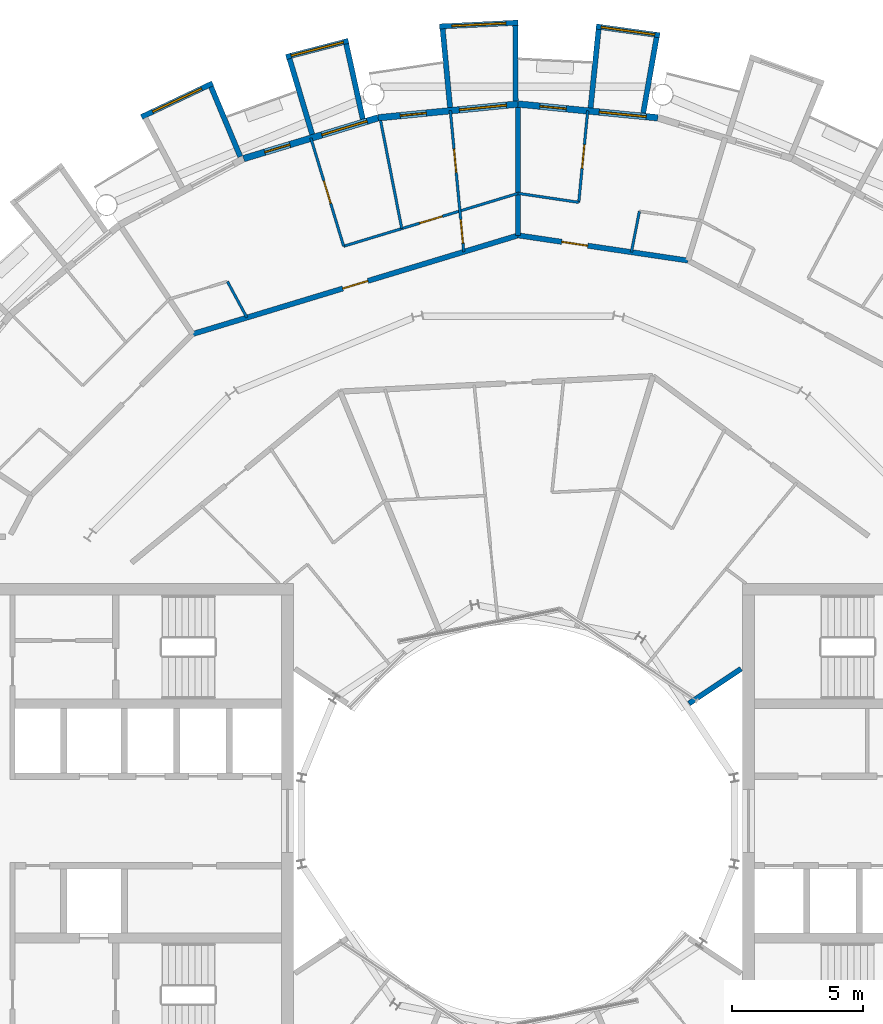
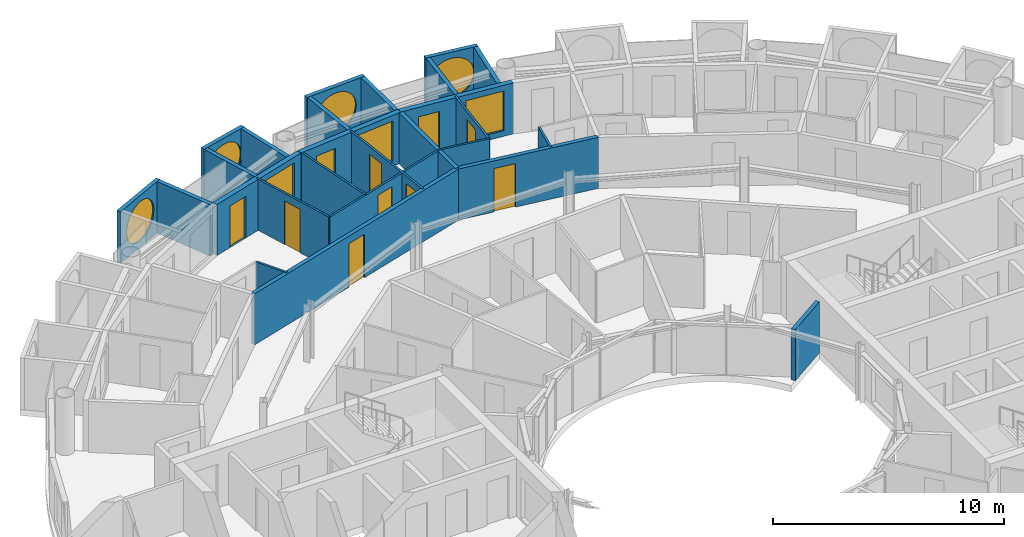
# One storey, part 22 of 29: 26 walls, 10 doors, 7 windows, 17 openings.
"""IFC4 building model written with IfcOpenShell, lengths in metres."""

import ifcopenshell
import ifcopenshell.guid

model = None  # the IFC model being written
_history = None  # IfcOwnerHistory: only IFC2X3 demands one
_inside = {}  # id of a spatial element -> (the spatial element, [elements in it])
_under = {}  # id of a project, library or spatial element -> (it, [spatial elements below it])
_declared = {}  # id of a project -> (the project, [libraries it declares])
_typed = {}  # id of a type object -> (the type object, [elements of that type])
_made_of = {}  # id of a material, layer set ... -> (it, [elements and type objects made of it])


def new_model(schema):
    """Start an empty IFC model of exactly this schema.

    Asked for "IFC4X3", IfcOpenShell would pick the latest addendum, in which some entities
    have other attributes; the version numbers below select the first issue.
    IFC2X3 requires an IfcOwnerHistory on every rooted entity: one is made here for all.
    """
    global model, _history
    if schema == "IFC4X3":
        model = ifcopenshell.file(schema_version=(4, 3, 0, 0))
    else:
        model = ifcopenshell.file(schema=schema)
    _inside.clear()
    _under.clear()
    _declared.clear()
    _typed.clear()
    _made_of.clear()
    _history = None
    if model.schema == "IFC2X3":
        org = make("IfcOrganization", Name="unknown")
        user = make(
            "IfcPersonAndOrganization",
            ThePerson=make("IfcPerson", FamilyName="unknown"),
            TheOrganization=org,
        )
        app = make(
            "IfcApplication",
            ApplicationDeveloper=org,
            Version="unknown",
            ApplicationFullName="unknown",
            ApplicationIdentifier="unknown",
        )
        _history = make(
            "IfcOwnerHistory",
            OwningUser=user,
            OwningApplication=app,
            ChangeAction="ADDED",
            CreationDate=0,
        )
    return model


def make(cls, **values):
    """One entity of the class cls with the attributes given. An attribute that is None is left unset."""
    return model.create_entity(
        cls, **{name: value for name, value in values.items() if value is not None}
    )


def rooted(cls, **values):
    """An entity with a GlobalId (a new one), such as an element, a storey or a relation."""
    return make(cls, GlobalId=ifcopenshell.guid.new(), OwnerHistory=_history, **values)


def si_unit(unit_type, name, prefix=None):
    """IfcSIUnit, for example si_unit("LENGTHUNIT", "METRE", prefix="MILLI")."""
    return make("IfcSIUnit", UnitType=unit_type, Prefix=prefix, Name=name)


def assignment(units):
    """IfcUnitAssignment: the units of a project."""
    return None if units is None else make("IfcUnitAssignment", Units=units)


def point(xyz):
    """IfcCartesianPoint."""
    return None if xyz is None else make("IfcCartesianPoint", Coordinates=xyz)


def direction(xyz):
    """IfcDirection."""
    return None if xyz is None else make("IfcDirection", DirectionRatios=xyz)


def frame(location, z_axis=None, x_axis=None):
    """IfcAxis2Placement3D, a coordinate frame: its origin and axes. An axis left out is left unset."""
    return make(
        "IfcAxis2Placement3D",
        Location=point(location),
        Axis=direction(z_axis),
        RefDirection=direction(x_axis),
    )


def frame_2d(location, x_axis=None):
    """IfcAxis2Placement2D, a coordinate frame in the plane: its origin and x axis."""
    return make(
        "IfcAxis2Placement2D", Location=point(location), RefDirection=direction(x_axis)
    )


def origin():
    """The frame at (0, 0, 0) with its axes left unset."""
    return frame((0.0, 0.0, 0.0))


def place(relative_to, where):
    """IfcLocalPlacement: puts the frame where relative to a parent placement (None: the world)."""
    return make(
        "IfcLocalPlacement", PlacementRelTo=relative_to, RelativePlacement=where
    )


def context(
    kind, dimensions, precision=None, world=None, true_north=None, identifier=None
):
    """IfcGeometricRepresentationContext, for example the 3D "Model" context."""
    return make(
        "IfcGeometricRepresentationContext",
        ContextIdentifier=identifier,
        ContextType=kind,
        CoordinateSpaceDimension=dimensions,
        Precision=precision,
        WorldCoordinateSystem=world,
        TrueNorth=true_north,
    )


def subcontext(parent, identifier, kind, view, scale=None):
    """IfcGeometricRepresentationSubContext, for example "Body" below "Model"."""
    return make(
        "IfcGeometricRepresentationSubContext",
        ContextIdentifier=identifier,
        ContextType=kind,
        ParentContext=parent,
        TargetScale=scale,
        TargetView=view,
    )


def project(units=None, contexts=None):
    """IfcProject with its units and contexts."""
    return rooted(
        "IfcProject",
        Name="project",
        RepresentationContexts=contexts,
        UnitsInContext=assignment(units),
    )


def spatial(cls, under=None, at=None, **own):
    """A site, building, storey or space (cls), placed at a placement, below another one or the project."""
    s = rooted(cls, ObjectPlacement=at, **own)
    if under is not None:
        _under.setdefault(under.id(), (under, []))[1].append(s)
    return s


def profile(cls, at=None, kind="AREA", **sizes):
    """A parametric profile (cls). Its sizes go by their IFC names, for example OverallWidth=200.0."""
    return make(cls, ProfileType=kind, Position=at, **sizes)


def rectangle(**sizes):
    """IfcRectangleProfileDef."""
    return profile("IfcRectangleProfileDef", **sizes)


def circle(**sizes):
    """IfcCircleProfileDef."""
    return profile("IfcCircleProfileDef", **sizes)


def extrude(swept, where, along, depth):
    """IfcExtrudedAreaSolid: the profile swept, set in the frame where, extruded along a direction by depth."""
    return make(
        "IfcExtrudedAreaSolid",
        SweptArea=swept,
        Position=where,
        ExtrudedDirection=direction(along),
        Depth=depth,
    )


def shape(context_of_items, identifier, shape_type, items):
    """IfcShapeRepresentation: the items that make up one representation, for example the "Body"."""
    return make(
        "IfcShapeRepresentation",
        ContextOfItems=context_of_items,
        RepresentationIdentifier=identifier,
        RepresentationType=shape_type,
        Items=items,
    )


def material(Name=None, Category=None):
    """IfcMaterial."""
    return make("IfcMaterial", Name=Name, Category=Category)


def layer(
    of_material, thickness, ventilated=None, Name=None, Category=None, Priority=None
):
    """IfcMaterialLayer: one layer of a wall or slab, of a material (None: an air gap)."""
    return make(
        "IfcMaterialLayer",
        Material=of_material,
        LayerThickness=thickness,
        IsVentilated=ventilated,
        Name=Name,
        Category=Category,
        Priority=Priority,
    )


def layer_set(layers, Name=None):
    """IfcMaterialLayerSet."""
    return make("IfcMaterialLayerSet", MaterialLayers=layers, LayerSetName=Name)


def made_of(thing, what):
    """Note that an element or type object is made of a material, layer set ...; save() writes the relation."""
    if what is not None:
        _made_of.setdefault(what.id(), (what, []))[1].append(thing)
    return thing


def type_object(cls, material=None, **own):
    """A type object (cls), such as IfcWallType, which elements share."""
    return made_of(rooted(cls, **own), material)


def element(
    cls,
    number,
    at=None,
    inside=None,
    cuts=None,
    type_object=None,
    material=None,
    context=None,
    identifier="Body",
    shape_type=None,
    held_by="IfcProductDefinitionShape",
    body=None,
    shapes=None,
    **own,
):
    """One element of the class cls, such as IfcWall. Its Tag is "e" and its number.

    at: its placement. inside: the storey or other place that contains it. cuts: it is an
    opening in that element (IfcRelVoidsElement). A single representation is given by context,
    identifier, shape_type and body (its items); several are given by shapes. held_by: the class
    of the entity that holds the representations. save() writes the other relations.
    """
    e = rooted(cls, Tag="e%d" % number, ObjectPlacement=at, **own)
    if body is not None:
        shapes = [shape(context, identifier, shape_type, body)]
    if shapes is not None:
        e.Representation = make(held_by, Representations=shapes)
    if inside is not None:
        _inside.setdefault(inside.id(), (inside, []))[1].append(e)
    if cuts is not None:
        rooted(
            "IfcRelVoidsElement", RelatingBuildingElement=cuts, RelatedOpeningElement=e
        )
    if type_object is not None:
        _typed.setdefault(type_object.id(), (type_object, []))[1].append(e)
    return made_of(e, material)


def fill(opening, filler):
    """IfcRelFillsElement: the door or window that sits in an opening."""
    return rooted(
        "IfcRelFillsElement",
        RelatingOpeningElement=opening,
        RelatedBuildingElement=filler,
    )


def aggregate(whole, parts):
    """IfcRelAggregates: a whole, such as a stair, and the parts it consists of."""
    return rooted("IfcRelAggregates", RelatingObject=whole, RelatedObjects=parts)


def save(model, path):
    """Write the relations noted so far, then the file.

    IfcRelAggregates (storeys below a building ...), IfcRelContainedInSpatialStructure (elements
    in a storey), IfcRelDefinesByType, IfcRelAssociatesMaterial and IfcRelDeclares: one each for
    every whole, place, type object, material and project.
    """
    for whole, parts in _under.values():
        aggregate(whole, parts)
    for where, things in _inside.values():
        rooted(
            "IfcRelContainedInSpatialStructure",
            RelatedElements=things,
            RelatingStructure=where,
        )
    for kind, things in _typed.values():
        rooted("IfcRelDefinesByType", RelatedObjects=things, RelatingType=kind)
    for what, things in _made_of.values():
        rooted("IfcRelAssociatesMaterial", RelatedObjects=things, RelatingMaterial=what)
    for by, libraries in _declared.values():
        rooted("IfcRelDeclares", RelatingContext=by, RelatedDefinitions=libraries)
    model.write(path)


model = new_model("IFC4")

# Units and contexts
model_context = context("Model", 3, precision=1e-05, world=origin(), true_north=direction((0.0, 1.0)))
body_context = subcontext(model_context, "Body", "Model", "MODEL_VIEW")
ifc_project = project(units=[si_unit("LENGTHUNIT", "METRE"), si_unit("AREAUNIT", "SQUARE_METRE"), si_unit("VOLUMEUNIT", "CUBIC_METRE"), si_unit("PLANEANGLEUNIT", "RADIAN"), si_unit("MASSUNIT", "GRAM", prefix="KILO")], contexts=[model_context])

# Site, building, storey
site_placement = place(None, origin())
site = spatial("IfcSite", under=ifc_project, at=site_placement, CompositionType="ELEMENT")
building_placement = place(site_placement, origin())
building = spatial("IfcBuilding", under=site, at=building_placement, Name="Maasbend Ring Residences", CompositionType="ELEMENT")
storey_placement = place(building_placement, frame((0.0, 0.0, 202.39990234375)))
storey = spatial("IfcBuildingStorey", under=building, at=storey_placement, Name="L58", CompositionType="ELEMENT", Elevation=202.39990234375)

# Wall, opening, door
ifc_material_1 = material(Name="Concrete C30/37", Category="concrete")
ifc_layer_1 = layer(ifc_material_1, 0.199951171875)
ifc_layer_set_1 = layer_set([ifc_layer_1], Name="Concrete C30/37")
wall_type_1 = type_object("IfcWallType", Name="CORRIDOR WALL 200 CONCRETE", PredefinedType="PARTITIONING", material=ifc_layer_set_1)
wall_1_placement = place(storey_placement, frame((-12.388916015625, 18.5419921875, 0.0), z_axis=(0.0, 0.0, 1.0), x_axis=(0.956994750783, 0.290105234311, 0.0)))
wall_1 = element("IfcWall", 1, at=wall_1_placement, inside=storey, type_object=wall_type_1, Name="U-L58-w104", PredefinedType="PARTITIONING", context=body_context, shape_type="SweptSolid", body=[
    extrude(rectangle(XDim=12.95068359375, YDim=0.199951171875, at=frame_2d((6.475341796875, 0.0))), origin(), (0.0, 0.0, 1.0), 2.7001953125),
])
opening_1_placement = place(wall_1_placement, frame((5.97412109375, 0.0, 0.0)))
opening_1 = element("IfcOpeningElement", 2, at=opening_1_placement, cuts=wall_1, Name="Opening D-5811", PredefinedType="OPENING", context=body_context, shape_type="SweptSolid", body=[
    extrude(rectangle(XDim=1.0, YDim=2.300048828125, at=frame_2d((0.5, 1.14990234375))), frame((0.0, 0.10986328125, 0.0), z_axis=(0.0, -1.0, 0.0), x_axis=(1.0, 0.0, 0.0)), (0.0, 0.0, 1.0), 0.219970703125),
])
ifc_material_2 = material(Name="Timber, fire-rated, painted", Category="wood")
door_type_1 = type_object("IfcDoorType", Name="FLAT ENTRANCE DOOR 1000 X 2300 FIRE-RATED", OperationType="NOTDEFINED", PredefinedType="DOOR", material=ifc_material_2)
door_1_placement = place(opening_1_placement, origin())
door_1 = element("IfcDoor", 3, at=door_1_placement, inside=storey, type_object=door_type_1, Name="D-5811", OperationType="SINGLE_SWING_LEFT", OverallHeight=2.300048828125, OverallWidth=1.0, PredefinedType="DOOR", context=body_context, shape_type="SweptSolid", body=[
    extrude(rectangle(XDim=1.0, YDim=2.300048828125, at=frame_2d((0.5, 1.14990234375))), frame((0.0, 0.02490234375, 0.0), z_axis=(0.0, -1.0, 0.0), x_axis=(1.0, 0.0, 0.0)), (0.0, 0.0, 1.0), 0.050048828125),
])
fill(opening_1, door_1)

wall_2_placement = place(storey_placement, frame((0.0, 22.300048828125, 0.0), z_axis=(0.0, 0.0, 1.0), x_axis=(0.989181015112, -0.146700100005, 0.0)))
wall_2 = element("IfcWall", 4, at=wall_2_placement, inside=storey, type_object=wall_type_1, Name="U-L58-w109", PredefinedType="PARTITIONING", context=body_context, shape_type="SweptSolid", body=[
    extrude(rectangle(XDim=6.543701171875, YDim=0.199951171875, at=frame_2d((3.27197265625, 0.0))), origin(), (0.0, 0.0, 1.0), 2.7001953125),
])
opening_2_placement = place(wall_2_placement, frame((1.681884765625, 0.0, 0.0)))
opening_2 = element("IfcOpeningElement", 5, at=opening_2_placement, cuts=wall_2, Name="Opening D-5808", PredefinedType="OPENING", context=body_context, shape_type="SweptSolid", body=[
    extrude(rectangle(XDim=1.0, YDim=2.300048828125, at=frame_2d((0.5, 1.14990234375))), frame((0.0, 0.10986328125, 0.0), z_axis=(0.0, -1.0, 0.0), x_axis=(1.0, 0.0, 0.0)), (0.0, 0.0, 1.0), 0.219970703125),
])
door_2_placement = place(opening_2_placement, origin())
door_2 = element("IfcDoor", 6, at=door_2_placement, inside=storey, type_object=door_type_1, Name="D-5808", OperationType="SINGLE_SWING_LEFT", OverallHeight=2.300048828125, OverallWidth=1.0, PredefinedType="DOOR", context=body_context, shape_type="SweptSolid", body=[
    extrude(rectangle(XDim=1.0, YDim=2.300048828125, at=frame_2d((0.5, 1.14990234375))), frame((0.0, 0.02490234375, 0.0), z_axis=(0.0, -1.0, 0.0), x_axis=(1.0, 0.0, 0.0)), (0.0, 0.0, 1.0), 0.050048828125),
])
fill(opening_2, door_2)

# Wall, opening, window
ifc_material_3 = material(Name="Pale anodised aluminium panel", Category="aluminium")
ifc_layer_2 = layer(ifc_material_3, 0.199951171875)
ifc_layer_set_2 = layer_set([ifc_layer_2], Name="EW-BOX")
wall_type_2 = type_object("IfcWallType", Name="EW-BOX", PredefinedType="SOLIDWALL", material=ifc_layer_set_2)
wall_3_placement = place(storey_placement, frame((5.39794921875, 29.9169921875, -0.02978515625), z_axis=(0.0, 0.0, 1.0), x_axis=(-0.990462016113, 0.137786046596, 0.0)))
wall_3 = element("IfcWall", 7, at=wall_3_placement, inside=storey, type_object=wall_type_2, Name="Box front N09", PredefinedType="SOLIDWALL", context=body_context, shape_type="SweptSolid", body=[
    extrude(rectangle(XDim=2.4453125, YDim=0.199951171875, at=frame_2d((1.22265625, 0.0))), origin(), (0.0, 0.0, 1.0), 2.72998046875),
])
opening_3_placement = place(wall_3_placement, frame((0.182861328125, 0.0, 0.330078125)))
opening_3 = element("IfcOpeningElement", 8, at=opening_3_placement, cuts=wall_3, Name="Opening W-RD", PredefinedType="OPENING", context=body_context, shape_type="SweptSolid", body=[
    extrude(circle(Radius=1.0400390625, at=frame_2d((1.0400390625, 1.0400390625))), frame((0.0, 0.10986328125, 0.0), z_axis=(0.0, -1.0, 0.0), x_axis=(1.0, 0.0, 0.0)), (0.0, 0.0, 1.0), 0.219970703125),
])
ifc_material_4 = material(Name="Aluminium and clear glass", Category="aluminium")
window_type_1 = type_object("IfcWindowType", Name="W-RD", PartitioningType="SINGLE_PANEL", PredefinedType="WINDOW", material=ifc_material_4)
window_1_placement = place(opening_3_placement, origin())
window_1 = element("IfcWindow", 9, at=window_1_placement, inside=storey, type_object=window_type_1, Name="Round window N09", OverallHeight=2.080078125, OverallWidth=2.080078125, PartitioningType="SINGLE_PANEL", PredefinedType="WINDOW", context=body_context, shape_type="SweptSolid", body=[
    extrude(circle(Radius=1.0400390625, at=frame_2d((1.0400390625, 1.0400390625))), frame((0.0, 0.030029296875, 0.0), z_axis=(0.0, -1.0, 0.0), x_axis=(1.0, 0.0, 0.0)), (0.0, 0.0, 1.0), 0.06005859375),
])
fill(opening_3, window_1)

# Walls
wall_4_placement = place(storey_placement, frame((4.76904296875, 26.9560546875, -0.02978515625), z_axis=(0.0, 0.0, 1.0), x_axis=(0.174056778901, 0.984735618183, 0.0)))
element("IfcWall", 10, at=wall_4_placement, inside=storey, type_object=wall_type_2, Name="Box side wall N09 left", PredefinedType="SOLIDWALL", context=body_context, shape_type="SweptSolid", body=[
    extrude(rectangle(XDim=2.924560546875, YDim=0.199951171875, at=frame_2d((1.46240234375, 0.0))), origin(), (0.0, 0.0, 1.0), 2.72998046875),
])
wall_5_placement = place(storey_placement, frame((2.763916015625, 27.153076171875, -0.02978515625), z_axis=(0.0, 0.0, 1.0), x_axis=(0.101505487237, 0.994834979311, 0.0)))
element("IfcWall", 11, at=wall_5_placement, inside=storey, type_object=wall_type_2, Name="Box side wall N09 right", PredefinedType="SOLIDWALL", context=body_context, shape_type="SweptSolid", body=[
    extrude(rectangle(XDim=3.006591796875, YDim=0.199951171875, at=frame_2d((1.50341796875, 0.0))), origin(), (0.0, 0.0, 1.0), 2.72998046875),
])

# Wall, opening, window
wall_6_placement = place(storey_placement, frame((0.0048828125, 30.39990234375, -0.02978515625), z_axis=(0.0, 0.0, 1.0), x_axis=(-0.998794083011, -0.049095618353, 0.0)))
wall_6 = element("IfcWall", 12, at=wall_6_placement, inside=storey, type_object=wall_type_2, Name="Box front N11", PredefinedType="SOLIDWALL", context=body_context, shape_type="SweptSolid", body=[
    extrude(rectangle(XDim=2.99365234375, YDim=0.199951171875, at=frame_2d((1.496826171875, 0.0))), origin(), (0.0, 0.0, 1.0), 2.72998046875),
])
opening_4_placement = place(wall_6_placement, frame((0.45654296875, 0.0, 0.330078125)))
opening_4 = element("IfcOpeningElement", 13, at=opening_4_placement, cuts=wall_6, Name="Opening W-RD", PredefinedType="OPENING", context=body_context, shape_type="SweptSolid", body=[
    extrude(circle(Radius=1.0400390625, at=frame_2d((1.0400390625, 1.0400390625))), frame((0.0, 0.10986328125, 0.0), z_axis=(0.0, -1.0, 0.0), x_axis=(1.0, 0.0, 0.0)), (0.0, 0.0, 1.0), 0.219970703125),
])
window_2_placement = place(opening_4_placement, origin())
window_2 = element("IfcWindow", 14, at=window_2_placement, inside=storey, type_object=window_type_1, Name="Round window N11", OverallHeight=2.080078125, OverallWidth=2.080078125, PartitioningType="SINGLE_PANEL", PredefinedType="WINDOW", context=body_context, shape_type="SweptSolid", body=[
    extrude(circle(Radius=1.0400390625, at=frame_2d((1.0400390625, 1.0400390625))), frame((0.0, 0.030029296875, 0.0), z_axis=(0.0, -1.0, 0.0), x_axis=(1.0, 0.0, 0.0)), (0.0, 0.0, 1.0), 0.06005859375),
])
fill(opening_4, window_2)

# Walls
wall_7_placement = place(storey_placement, frame((-0.090087890625, 27.4169921875, -0.02978515625), z_axis=(0.0, 0.0, 1.0), x_axis=(-0.00347308367, 0.999993968827, 0.0)))
element("IfcWall", 15, at=wall_7_placement, inside=storey, type_object=wall_type_2, Name="Box side wall N11 left", PredefinedType="SOLIDWALL", context=body_context, shape_type="SweptSolid", body=[
    extrude(rectangle(XDim=2.882080078125, YDim=0.199951171875, at=frame_2d((1.44091796875, 0.0))), origin(), (0.0, 0.0, 1.0), 2.72998046875),
])
wall_8_placement = place(storey_placement, frame((-2.5859375, 27.1708984375, -0.02978515625), z_axis=(0.0, 0.0, 1.0), x_axis=(-0.094548432284, 0.995520262954, 0.0)))
element("IfcWall", 16, at=wall_8_placement, inside=storey, type_object=wall_type_2, Name="Box side wall N11 right", PredefinedType="SOLIDWALL", context=body_context, shape_type="SweptSolid", body=[
    extrude(rectangle(XDim=3.005615234375, YDim=0.199951171875, at=frame_2d((1.5029296875, 0.0))), origin(), (0.0, 0.0, 1.0), 2.72998046875),
])

# Wall, opening, window
wall_9_placement = place(storey_placement, frame((-6.4609375, 29.705078125, -0.02978515625), z_axis=(0.0, 0.0, 1.0), x_axis=(-0.96789536872, -0.251353446784, 0.0)))
wall_9 = element("IfcWall", 17, at=wall_9_placement, inside=storey, type_object=wall_type_2, Name="Box front N13", PredefinedType="SOLIDWALL", context=body_context, shape_type="SweptSolid", body=[
    extrude(rectangle(XDim=2.44677734375, YDim=0.199951171875, at=frame_2d((1.223388671875, 0.0))), origin(), (0.0, 0.0, 1.0), 2.72998046875),
])
opening_5_placement = place(wall_9_placement, frame((0.182861328125, 0.0, 0.330078125)))
opening_5 = element("IfcOpeningElement", 18, at=opening_5_placement, cuts=wall_9, Name="Opening W-RD", PredefinedType="OPENING", context=body_context, shape_type="SweptSolid", body=[
    extrude(circle(Radius=1.0400390625, at=frame_2d((1.0400390625, 1.0400390625))), frame((0.0, 0.10986328125, 0.0), z_axis=(0.0, -1.0, 0.0), x_axis=(1.0, 0.0, 0.0)), (0.0, 0.0, 1.0), 0.219970703125),
])
window_3_placement = place(opening_5_placement, origin())
window_3 = element("IfcWindow", 19, at=window_3_placement, inside=storey, type_object=window_type_1, Name="Round window N13", OverallHeight=2.080078125, OverallWidth=2.080078125, PartitioningType="SINGLE_PANEL", PredefinedType="WINDOW", context=body_context, shape_type="SweptSolid", body=[
    extrude(circle(Radius=1.0400390625, at=frame_2d((1.0400390625, 1.0400390625))), frame((0.0, 0.030029296875, 0.0), z_axis=(0.0, -1.0, 0.0), x_axis=(1.0, 0.0, 0.0)), (0.0, 0.0, 1.0), 0.06005859375),
])
fill(opening_5, window_3)

# Walls
wall_10_placement = place(storey_placement, frame((-5.908935546875, 26.72900390625, -0.02978515625), z_axis=(0.0, 0.0, 1.0), x_axis=(-0.216409053917, 0.976302781612, 0.0)))
element("IfcWall", 20, at=wall_10_placement, inside=storey, type_object=wall_type_2, Name="Box side wall N13 left", PredefinedType="SOLIDWALL", context=body_context, shape_type="SweptSolid", body=[
    extrude(rectangle(XDim=2.92529296875, YDim=0.199951171875, at=frame_2d((1.462646484375, 0.0))), origin(), (0.0, 0.0, 1.0), 2.72998046875),
])
wall_11_placement = place(storey_placement, frame((-7.8369140625, 26.14404296875, -0.02978515625), z_axis=(0.0, 0.0, 1.0), x_axis=(-0.287064767992, 0.957911174889, 0.0)))
element("IfcWall", 21, at=wall_11_placement, inside=storey, type_object=wall_type_2, Name="Box side wall N13 right", PredefinedType="SOLIDWALL", context=body_context, shape_type="SweptSolid", body=[
    extrude(rectangle(XDim=3.00634765625, YDim=0.199951171875, at=frame_2d((1.503173828125, 0.0))), origin(), (0.0, 0.0, 1.0), 2.72998046875),
])

# Wall, opening, window
wall_12_placement = place(storey_placement, frame((-11.62890625, 28.087890625, -0.02978515625), z_axis=(0.0, 0.0, 1.0), x_axis=(-0.904000060331, -0.427532327342, 0.0)))
wall_12 = element("IfcWall", 22, at=wall_12_placement, inside=storey, type_object=wall_type_2, Name="Box front N15", PredefinedType="SOLIDWALL", context=body_context, shape_type="SweptSolid", body=[
    extrude(rectangle(XDim=2.993408203125, YDim=0.199951171875, at=frame_2d((1.49658203125, 0.0))), origin(), (0.0, 0.0, 1.0), 2.72998046875),
])
opening_6_placement = place(wall_12_placement, frame((0.45654296875, 0.0, 0.330078125)))
opening_6 = element("IfcOpeningElement", 23, at=opening_6_placement, cuts=wall_12, Name="Opening W-RD", PredefinedType="OPENING", context=body_context, shape_type="SweptSolid", body=[
    extrude(circle(Radius=1.0400390625, at=frame_2d((1.0400390625, 1.0400390625))), frame((0.0, 0.10986328125, 0.0), z_axis=(0.0, -1.0, 0.0), x_axis=(1.0, 0.0, 0.0)), (0.0, 0.0, 1.0), 0.219970703125),
])
window_4_placement = place(opening_6_placement, origin())
window_4 = element("IfcWindow", 24, at=window_4_placement, inside=storey, type_object=window_type_1, Name="Round window N15", OverallHeight=2.080078125, OverallWidth=2.080078125, PartitioningType="SINGLE_PANEL", PredefinedType="WINDOW", context=body_context, shape_type="SweptSolid", body=[
    extrude(circle(Radius=1.0400390625, at=frame_2d((1.0400390625, 1.0400390625))), frame((0.0, 0.030029296875, 0.0), z_axis=(0.0, -1.0, 0.0), x_axis=(1.0, 0.0, 0.0)), (0.0, 0.0, 1.0), 0.06005859375),
])
fill(opening_6, window_4)

# Wall
wall_13_placement = place(storey_placement, frame((-10.574951171875, 25.294921875, -0.02978515625), z_axis=(0.0, 0.0, 1.0), x_axis=(-0.385697364644, 0.922625353492, 0.0)))
element("IfcWall", 25, at=wall_13_placement, inside=storey, type_object=wall_type_2, Name="Box side wall N15 left", PredefinedType="SOLIDWALL", context=body_context, shape_type="SweptSolid", body=[
    extrude(rectangle(XDim=2.88330078125, YDim=0.199951171875, at=frame_2d((1.441650390625, 0.0))), origin(), (0.0, 0.0, 1.0), 2.72998046875),
])

# Wall, openings, door, window
ifc_material_5 = material(Name="Aluminium clad insulated panel", Category="aluminium")
ifc_layer_3 = layer(ifc_material_5, 0.25)
ifc_layer_set_3 = layer_set([ifc_layer_3], Name="EW-GL")
wall_type_3 = type_object("IfcWallType", Name="EW-GL", PredefinedType="SOLIDWALL", material=ifc_layer_set_3)
wall_14_placement = place(storey_placement, frame((5.325927734375, 26.77490234375, 0.0), z_axis=(0.0, 0.0, 1.0), x_axis=(-0.995173996315, 0.098126026407, 0.0)))
wall_14 = element("IfcWall", 26, at=wall_14_placement, inside=storey, type_object=wall_type_3, Name="External wall N05", PredefinedType="SOLIDWALL", context=body_context, shape_type="SweptSolid", body=[
    extrude(rectangle(XDim=5.351806640625, YDim=0.25, at=frame_2d((2.67578125, 0.0))), origin(), (0.0, 0.0, 1.0), 2.7001953125),
])
opening_7_placement = place(wall_14_placement, frame((0.441162109375, 0.0, 0.300048828125)))
opening_7 = element("IfcOpeningElement", 27, at=opening_7_placement, cuts=wall_14, Name="Opening W-BX", PredefinedType="OPENING", context=body_context, shape_type="SweptSolid", body=[
    extrude(rectangle(XDim=1.800048828125, YDim=2.10009765625, at=frame_2d((0.89990234375, 1.050048828125))), frame((0.0, 0.135009765625, 0.0), z_axis=(0.0, -1.0, 0.0), x_axis=(1.0, 0.0, 0.0)), (0.0, 0.0, 1.0), 0.27001953125),
])
opening_8_placement = place(wall_14_placement, frame((3.510498046875, 0.0, 0.0)))
opening_8 = element("IfcOpeningElement", 28, at=opening_8_placement, cuts=wall_14, Name="Opening D-LG", PredefinedType="OPENING", context=body_context, shape_type="SweptSolid", body=[
    extrude(rectangle(XDim=1.0, YDim=2.199951171875, at=frame_2d((0.5, 1.10009765625))), frame((0.0, 0.135009765625, 0.0), z_axis=(0.0, -1.0, 0.0), x_axis=(1.0, 0.0, 0.0)), (0.0, 0.0, 1.0), 0.27001953125),
])
ifc_material_6 = material(Name="Aluminium and clear glass", Category="aluminium")
door_type_2 = type_object("IfcDoorType", Name="D-LG", OperationType="SINGLE_SWING_LEFT", PredefinedType="DOOR", material=ifc_material_6)
door_3_placement = place(opening_8_placement, origin())
door_3 = element("IfcDoor", 29, at=door_3_placement, inside=storey, type_object=door_type_2, Name="Loggia door N10", OperationType="SINGLE_SWING_LEFT", OverallHeight=2.199951171875, OverallWidth=1.0, PredefinedType="DOOR", context=body_context, shape_type="SweptSolid", body=[
    extrude(rectangle(XDim=1.0, YDim=2.199951171875, at=frame_2d((0.5, 1.10009765625))), frame((0.0, 0.02490234375, 0.0), z_axis=(0.0, -1.0, 0.0), x_axis=(1.0, 0.0, 0.0)), (0.0, 0.0, 1.0), 0.050048828125),
])
fill(opening_8, door_3)
ifc_material_7 = material(Name="Aluminium and clear glass", Category="aluminium")
window_type_2 = type_object("IfcWindowType", Name="W-BX", PartitioningType="DOUBLE_PANEL_VERTICAL", PredefinedType="WINDOW", material=ifc_material_7)
window_5_placement = place(opening_7_placement, origin())
window_5 = element("IfcWindow", 30, at=window_5_placement, inside=storey, type_object=window_type_2, Name="Window N09 room to box", OverallHeight=2.10009765625, OverallWidth=1.800048828125, PartitioningType="SINGLE_PANEL", PredefinedType="WINDOW", context=body_context, shape_type="SweptSolid", body=[
    extrude(rectangle(XDim=1.800048828125, YDim=2.10009765625, at=frame_2d((0.89990234375, 1.050048828125))), frame((0.0, 0.030029296875, 0.0), z_axis=(0.0, -1.0, 0.0), x_axis=(1.0, 0.0, 0.0)), (0.0, 0.0, 1.0), 0.06005859375),
])
fill(opening_7, window_5)

wall_15_placement = place(storey_placement, frame((0.0, 27.300048828125, 0.0), z_axis=(0.0, 0.0, 1.0), x_axis=(-0.995173996315, -0.098126026407, 0.0)))
wall_15 = element("IfcWall", 31, at=wall_15_placement, inside=storey, type_object=wall_type_3, Name="External wall N06", PredefinedType="SOLIDWALL", context=body_context, shape_type="SweptSolid", body=[
    extrude(rectangle(XDim=5.351806640625, YDim=0.25, at=frame_2d((2.67578125, 0.0))), origin(), (0.0, 0.0, 1.0), 2.7001953125),
])
opening_9_placement = place(wall_15_placement, frame((0.441162109375, 0.0, 0.300048828125)))
opening_9 = element("IfcOpeningElement", 32, at=opening_9_placement, cuts=wall_15, Name="Opening W-BX", PredefinedType="OPENING", context=body_context, shape_type="SweptSolid", body=[
    extrude(rectangle(XDim=1.800048828125, YDim=2.10009765625, at=frame_2d((0.89990234375, 1.050048828125))), frame((0.0, 0.135009765625, 0.0), z_axis=(0.0, -1.0, 0.0), x_axis=(1.0, 0.0, 0.0)), (0.0, 0.0, 1.0), 0.27001953125),
])
opening_10_placement = place(wall_15_placement, frame((3.510498046875, 0.0, 0.0)))
opening_10 = element("IfcOpeningElement", 33, at=opening_10_placement, cuts=wall_15, Name="Opening D-LG", PredefinedType="OPENING", context=body_context, shape_type="SweptSolid", body=[
    extrude(rectangle(XDim=1.0, YDim=2.199951171875, at=frame_2d((0.5, 1.10009765625))), frame((0.0, 0.135009765625, 0.0), z_axis=(0.0, -1.0, 0.0), x_axis=(1.0, 0.0, 0.0)), (0.0, 0.0, 1.0), 0.27001953125),
])
door_4_placement = place(opening_10_placement, origin())
door_4 = element("IfcDoor", 34, at=door_4_placement, inside=storey, type_object=door_type_2, Name="Loggia door N12", OperationType="SINGLE_SWING_LEFT", OverallHeight=2.199951171875, OverallWidth=1.0, PredefinedType="DOOR", context=body_context, shape_type="SweptSolid", body=[
    extrude(rectangle(XDim=1.0, YDim=2.199951171875, at=frame_2d((0.5, 1.10009765625))), frame((0.0, 0.02490234375, 0.0), z_axis=(0.0, -1.0, 0.0), x_axis=(1.0, 0.0, 0.0)), (0.0, 0.0, 1.0), 0.050048828125),
])
fill(opening_10, door_4)
window_6_placement = place(opening_9_placement, origin())
window_6 = element("IfcWindow", 35, at=window_6_placement, inside=storey, type_object=window_type_2, Name="Window N11 room to box", OverallHeight=2.10009765625, OverallWidth=1.800048828125, PartitioningType="SINGLE_PANEL", PredefinedType="WINDOW", context=body_context, shape_type="SweptSolid", body=[
    extrude(rectangle(XDim=1.800048828125, YDim=2.10009765625, at=frame_2d((0.89990234375, 1.050048828125))), frame((0.0, 0.030029296875, 0.0), z_axis=(0.0, -1.0, 0.0), x_axis=(1.0, 0.0, 0.0)), (0.0, 0.0, 1.0), 0.06005859375),
])
fill(opening_9, window_6)

wall_16_placement = place(storey_placement, frame((-5.325927734375, 26.77490234375, 0.0), z_axis=(0.0, 0.0, 1.0), x_axis=(-0.956965678721, -0.290201119486, 0.0)))
wall_16 = element("IfcWall", 36, at=wall_16_placement, inside=storey, type_object=wall_type_3, Name="External wall N07", PredefinedType="SOLIDWALL", context=body_context, shape_type="SweptSolid", body=[
    extrude(rectangle(XDim=5.351318359375, YDim=0.25, at=frame_2d((2.67578125, 0.0))), origin(), (0.0, 0.0, 1.0), 2.7001953125),
])
opening_11_placement = place(wall_16_placement, frame((0.441162109375, 0.0, 0.300048828125)))
opening_11 = element("IfcOpeningElement", 37, at=opening_11_placement, cuts=wall_16, Name="Opening W-BX", PredefinedType="OPENING", context=body_context, shape_type="SweptSolid", body=[
    extrude(rectangle(XDim=1.800048828125, YDim=2.10009765625, at=frame_2d((0.89990234375, 1.050048828125))), frame((0.0, 0.135009765625, 0.0), z_axis=(0.0, -1.0, 0.0), x_axis=(1.0, 0.0, 0.0)), (0.0, 0.0, 1.0), 0.27001953125),
])
opening_12_placement = place(wall_16_placement, frame((3.510498046875, 0.0, 0.0)))
opening_12 = element("IfcOpeningElement", 38, at=opening_12_placement, cuts=wall_16, Name="Opening D-LG", PredefinedType="OPENING", context=body_context, shape_type="SweptSolid", body=[
    extrude(rectangle(XDim=1.0, YDim=2.199951171875, at=frame_2d((0.5, 1.10009765625))), frame((0.0, 0.135009765625, 0.0), z_axis=(0.0, -1.0, 0.0), x_axis=(1.0, 0.0, 0.0)), (0.0, 0.0, 1.0), 0.27001953125),
])
door_5_placement = place(opening_12_placement, origin())
door_5 = element("IfcDoor", 39, at=door_5_placement, inside=storey, type_object=door_type_2, Name="Loggia door N14", OperationType="SINGLE_SWING_LEFT", OverallHeight=2.199951171875, OverallWidth=1.0, PredefinedType="DOOR", context=body_context, shape_type="SweptSolid", body=[
    extrude(rectangle(XDim=1.0, YDim=2.199951171875, at=frame_2d((0.5, 1.10009765625))), frame((0.0, 0.02490234375, 0.0), z_axis=(0.0, -1.0, 0.0), x_axis=(1.0, 0.0, 0.0)), (0.0, 0.0, 1.0), 0.050048828125),
])
fill(opening_12, door_5)
window_7_placement = place(opening_11_placement, origin())
window_7 = element("IfcWindow", 40, at=window_7_placement, inside=storey, type_object=window_type_2, Name="Window N13 room to box", OverallHeight=2.10009765625, OverallWidth=1.800048828125, PartitioningType="SINGLE_PANEL", PredefinedType="WINDOW", context=body_context, shape_type="SweptSolid", body=[
    extrude(rectangle(XDim=1.800048828125, YDim=2.10009765625, at=frame_2d((0.89990234375, 1.050048828125))), frame((0.0, 0.030029296875, 0.0), z_axis=(0.0, -1.0, 0.0), x_axis=(1.0, 0.0, 0.0)), (0.0, 0.0, 1.0), 0.06005859375),
])
fill(opening_11, window_7)

# Wall
ifc_material_8 = material(Name="Gypsum board on steel studs", Category="steel")
ifc_layer_4 = layer(ifc_material_8, 0.10009765625)
ifc_layer_set_4 = layer_set([ifc_layer_4], Name="PARTITION 100 GYPSUM")
wall_type_4 = type_object("IfcWallType", Name="PARTITION 100 GYPSUM", PredefinedType="PARTITIONING", material=ifc_layer_set_4)
wall_17_placement = place(storey_placement, frame((4.31591796875, 21.659912109375, 0.0), z_axis=(0.0, 0.0, 1.0), x_axis=(0.195049398273, 0.980793419754, 0.0)))
element("IfcWall", 41, at=wall_17_placement, inside=storey, type_object=wall_type_4, Name="U-L58-w033", PredefinedType="PARTITIONING", context=body_context, shape_type="SweptSolid", body=[
    extrude(rectangle(XDim=1.584716796875, YDim=0.10009765625, at=frame_2d((0.79248046875, 0.0))), origin(), (0.0, 0.0, 1.0), 2.7001953125),
])

# Wall, opening, door
wall_18_placement = place(storey_placement, frame((-7.887939453125, 26.0048828125, 0.0), z_axis=(0.0, 0.0, 1.0), x_axis=(0.290193157742, -0.956968093094, 0.0)))
wall_18 = element("IfcWall", 42, at=wall_18_placement, inside=storey, type_object=wall_type_4, Name="U-L58-w052", PredefinedType="PARTITIONING", context=body_context, shape_type="SweptSolid", body=[
    extrude(rectangle(XDim=4.30419921875, YDim=0.10009765625, at=frame_2d((2.152099609375, 0.0))), origin(), (0.0, 0.0, 1.0), 2.7001953125),
])
opening_13_placement = place(wall_18_placement, frame((1.701904296875, 0.0, 0.0)))
opening_13 = element("IfcOpeningElement", 43, at=opening_13_placement, cuts=wall_18, Name="Opening D-5814", PredefinedType="OPENING", context=body_context, shape_type="SweptSolid", body=[
    extrude(rectangle(XDim=0.89990234375, YDim=2.300048828125, at=frame_2d((0.449951171875, 1.14990234375))), frame((0.0, 0.06005859375, 0.0), z_axis=(0.0, -1.0, 0.0), x_axis=(1.0, 0.0, 0.0)), (0.0, 0.0, 1.0), 0.1201171875),
])
ifc_material_9 = material(Name="Timber, painted", Category="wood")
door_type_3 = type_object("IfcDoorType", Name="INTERNAL DOOR 900 X 2300", OperationType="NOTDEFINED", PredefinedType="DOOR", material=ifc_material_9)
door_6_placement = place(opening_13_placement, origin())
door_6 = element("IfcDoor", 44, at=door_6_placement, inside=storey, type_object=door_type_3, Name="D-5814", OperationType="SINGLE_SWING_LEFT", OverallHeight=2.300048828125, OverallWidth=0.89990234375, PredefinedType="DOOR", context=body_context, shape_type="SweptSolid", body=[
    extrude(rectangle(XDim=0.89990234375, YDim=2.300048828125, at=frame_2d((0.449951171875, 1.14990234375))), frame((0.0, 0.02490234375, 0.0), z_axis=(0.0, -1.0, 0.0), x_axis=(1.0, 0.0, 0.0)), (0.0, 0.0, 1.0), 0.050048828125),
])
fill(opening_13, door_6)

# Wall
wall_19_placement = place(storey_placement, frame((-5.23193359375, 26.6669921875, 0.0), z_axis=(0.0, 0.0, 1.0), x_axis=(0.192415561348, -0.981313533867, 0.0)))
element("IfcWall", 45, at=wall_19_placement, inside=storey, type_object=wall_type_4, Name="U-L58-w056", PredefinedType="PARTITIONING", context=body_context, shape_type="SweptSolid", body=[
    extrude(rectangle(XDim=4.1884765625, YDim=0.10009765625, at=frame_2d((2.09423828125, 0.0))), origin(), (0.0, 0.0, 1.0), 2.7001953125),
])

# Wall, openings, doors
wall_20_placement = place(storey_placement, frame((-2.576904296875, 27.052978515625, 0.0), z_axis=(0.0, 0.0, 1.0), x_axis=(0.094751520537, -0.99550095397, 0.0)))
wall_20 = element("IfcWall", 46, at=wall_20_placement, inside=storey, type_object=wall_type_4, Name="U-L58-w059", PredefinedType="PARTITIONING", context=body_context, shape_type="SweptSolid", body=[
    extrude(rectangle(XDim=5.4033203125, YDim=0.10009765625, at=frame_2d((2.70166015625, 0.0))), origin(), (0.0, 0.0, 1.0), 2.7001953125),
])
opening_14_placement = place(wall_20_placement, frame((4.172119140625, 0.0, 0.0)))
opening_14 = element("IfcOpeningElement", 47, at=opening_14_placement, cuts=wall_20, Name="Opening D-5813", PredefinedType="OPENING", context=body_context, shape_type="SweptSolid", body=[
    extrude(rectangle(XDim=0.89990234375, YDim=2.300048828125, at=frame_2d((0.449951171875, 1.14990234375))), frame((0.0, 0.06005859375, 0.0), z_axis=(0.0, -1.0, 0.0), x_axis=(1.0, 0.0, 0.0)), (0.0, 0.0, 1.0), 0.1201171875),
])
opening_15_placement = place(wall_20_placement, frame((1.470947265625, 0.0, 0.0)))
opening_15 = element("IfcOpeningElement", 48, at=opening_15_placement, cuts=wall_20, Name="Opening D-5816", PredefinedType="OPENING", context=body_context, shape_type="SweptSolid", body=[
    extrude(rectangle(XDim=0.89990234375, YDim=2.300048828125, at=frame_2d((0.449951171875, 1.14990234375))), frame((0.0, 0.06005859375, 0.0), z_axis=(0.0, -1.0, 0.0), x_axis=(1.0, 0.0, 0.0)), (0.0, 0.0, 1.0), 0.1201171875),
])
door_7_placement = place(opening_14_placement, origin())
door_7 = element("IfcDoor", 49, at=door_7_placement, inside=storey, type_object=door_type_3, Name="D-5813", OperationType="SINGLE_SWING_RIGHT", OverallHeight=2.300048828125, OverallWidth=0.89990234375, PredefinedType="DOOR", context=body_context, shape_type="SweptSolid", body=[
    extrude(rectangle(XDim=0.89990234375, YDim=2.300048828125, at=frame_2d((0.449951171875, 1.14990234375))), frame((0.0, 0.02490234375, 0.0), z_axis=(0.0, -1.0, 0.0), x_axis=(1.0, 0.0, 0.0)), (0.0, 0.0, 1.0), 0.050048828125),
])
fill(opening_14, door_7)
door_8_placement = place(opening_15_placement, origin())
door_8 = element("IfcDoor", 50, at=door_8_placement, inside=storey, type_object=door_type_3, Name="D-5816", OperationType="SINGLE_SWING_LEFT", OverallHeight=2.300048828125, OverallWidth=0.89990234375, PredefinedType="DOOR", context=body_context, shape_type="SweptSolid", body=[
    extrude(rectangle(XDim=0.89990234375, YDim=2.300048828125, at=frame_2d((0.449951171875, 1.14990234375))), frame((0.0, 0.02490234375, 0.0), z_axis=(0.0, -1.0, 0.0), x_axis=(1.0, 0.0, 0.0)), (0.0, 0.0, 1.0), 0.050048828125),
])
fill(opening_15, door_8)

# Wall, opening, door
wall_21_placement = place(storey_placement, frame((2.31298828125, 23.556884765625, 0.0), z_axis=(0.0, 0.0, 1.0), x_axis=(0.09759306994, 0.995226402734, 0.0)))
wall_21 = element("IfcWall", 51, at=wall_21_placement, inside=storey, type_object=wall_type_4, Name="U-L58-w068", PredefinedType="PARTITIONING", context=body_context, shape_type="SweptSolid", body=[
    extrude(rectangle(XDim=3.5048828125, YDim=0.10009765625, at=frame_2d((1.75244140625, 0.0))), origin(), (0.0, 0.0, 1.0), 2.7001953125),
])
opening_16_placement = place(wall_21_placement, frame((1.302001953125, 0.0, 0.0)))
opening_16 = element("IfcOpeningElement", 52, at=opening_16_placement, cuts=wall_21, Name="Opening D-5810", PredefinedType="OPENING", context=body_context, shape_type="SweptSolid", body=[
    extrude(rectangle(XDim=0.89990234375, YDim=2.300048828125, at=frame_2d((0.449951171875, 1.14990234375))), frame((0.0, 0.06005859375, 0.0), z_axis=(0.0, -1.0, 0.0), x_axis=(1.0, 0.0, 0.0)), (0.0, 0.0, 1.0), 0.1201171875),
])
door_9_placement = place(opening_16_placement, origin())
door_9 = element("IfcDoor", 53, at=door_9_placement, inside=storey, type_object=door_type_3, Name="D-5810", OperationType="SINGLE_SWING_LEFT", OverallHeight=2.300048828125, OverallWidth=0.89990234375, PredefinedType="DOOR", context=body_context, shape_type="SweptSolid", body=[
    extrude(rectangle(XDim=0.89990234375, YDim=2.300048828125, at=frame_2d((0.449951171875, 1.14990234375))), frame((0.0, 0.02490234375, 0.0), z_axis=(0.0, -1.0, 0.0), x_axis=(1.0, 0.0, 0.0)), (0.0, 0.0, 1.0), 0.050048828125),
])
fill(opening_16, door_9)

# Wall
wall_22_placement = place(storey_placement, frame((-11.06494140625, 20.54296875, 0.0), z_axis=(0.0, 0.0, 1.0), x_axis=(0.474388748528, -0.880315463496, 0.0)))
element("IfcWall", 54, at=wall_22_placement, inside=storey, type_object=wall_type_4, Name="U-L58-w089", PredefinedType="PARTITIONING", context=body_context, shape_type="SweptSolid", body=[
    extrude(rectangle(XDim=1.56201171875, YDim=0.10009765625, at=frame_2d((0.781005859375, 0.0))), origin(), (0.0, 0.0, 1.0), 2.7001953125),
])

# Wall, opening, door
wall_23_placement = place(storey_placement, frame((-6.638916015625, 21.885009765625, 0.0), z_axis=(0.0, 0.0, 1.0), x_axis=(0.956990364662, 0.290119702785, 0.0)))
wall_23 = element("IfcWall", 55, at=wall_23_placement, inside=storey, type_object=wall_type_4, Name="U-L58-w114", PredefinedType="PARTITIONING", context=body_context, shape_type="SweptSolid", body=[
    extrude(rectangle(XDim=6.938232421875, YDim=0.10009765625, at=frame_2d((3.46923828125, 0.0))), origin(), (0.0, 0.0, 1.0), 2.7001953125),
])
opening_17_placement = place(wall_23_placement, frame((3.02197265625, 0.0, 0.0)))
opening_17 = element("IfcOpeningElement", 56, at=opening_17_placement, cuts=wall_23, Name="Opening D-5815", PredefinedType="OPENING", context=body_context, shape_type="SweptSolid", body=[
    extrude(rectangle(XDim=0.89990234375, YDim=2.300048828125, at=frame_2d((0.449951171875, 1.14990234375))), frame((0.0, 0.06005859375, 0.0), z_axis=(0.0, -1.0, 0.0), x_axis=(1.0, 0.0, 0.0)), (0.0, 0.0, 1.0), 0.1201171875),
])
door_10_placement = place(opening_17_placement, origin())
door_10 = element("IfcDoor", 57, at=door_10_placement, inside=storey, type_object=door_type_3, Name="D-5815", OperationType="SINGLE_SWING_RIGHT", OverallHeight=2.300048828125, OverallWidth=0.89990234375, PredefinedType="DOOR", context=body_context, shape_type="SweptSolid", body=[
    extrude(rectangle(XDim=0.89990234375, YDim=2.300048828125, at=frame_2d((0.449951171875, 1.14990234375))), frame((0.0, 0.02490234375, 0.0), z_axis=(0.0, -1.0, 0.0), x_axis=(1.0, 0.0, 0.0)), (0.0, 0.0, 1.0), 0.050048828125),
])
fill(opening_17, door_10)

# Walls
wall_24_placement = place(storey_placement, frame((0.0, 23.89990234375, 0.0), z_axis=(0.0, 0.0, 1.0), x_axis=(0.989181588285, -0.146696235121, 0.0)))
element("IfcWall", 58, at=wall_24_placement, inside=storey, type_object=wall_type_4, Name="U-L58-w119", PredefinedType="PARTITIONING", context=body_context, shape_type="SweptSolid", body=[
    extrude(rectangle(XDim=2.33837890625, YDim=0.10009765625, at=frame_2d((1.169189453125, 0.0))), origin(), (0.0, 0.0, 1.0), 2.7001953125),
])
ifc_material_10 = material(Name="Concrete C30/37", Category="concrete")
ifc_layer_5 = layer(ifc_material_10, 0.199951171875)
ifc_layer_set_5 = layer_set([ifc_layer_5], Name="Concrete C30/37")
wall_type_5 = type_object("IfcWallType", Name="PARTY WALL 200 CONCRETE", PredefinedType="PARTITIONING", material=ifc_layer_set_5)
wall_25_placement = place(storey_placement, frame((0.0, 22.300048828125, 0.0), z_axis=(0.0, 0.0, 1.0), x_axis=(0.0, 1.0, 0.0)))
element("IfcWall", 59, at=wall_25_placement, inside=storey, type_object=wall_type_5, Name="U-L58-w064", PredefinedType="PARTITIONING", context=body_context, shape_type="SweptSolid", body=[
    extrude(rectangle(XDim=4.875, YDim=0.199951171875, at=frame_2d((2.4375, 0.0))), origin(), (0.0, 0.0, 1.0), 2.7001953125),
])
wall_26_placement = place(storey_placement, frame((6.512939453125, 4.471923828125, 0.0), z_axis=(0.0, 0.0, 1.0), x_axis=(0.831403409976, 0.555669299026, 0.0)))
element("IfcWall", 60, at=wall_26_placement, inside=storey, type_object=wall_type_5, Name="U-L58-w092", PredefinedType="PARTITIONING", context=body_context, shape_type="SweptSolid", body=[
    extrude(rectangle(XDim=2.382568359375, YDim=0.199951171875, at=frame_2d((1.19140625, 0.0))), origin(), (0.0, 0.0, 1.0), 2.7001953125),
])

save(model, "model.ifc")
